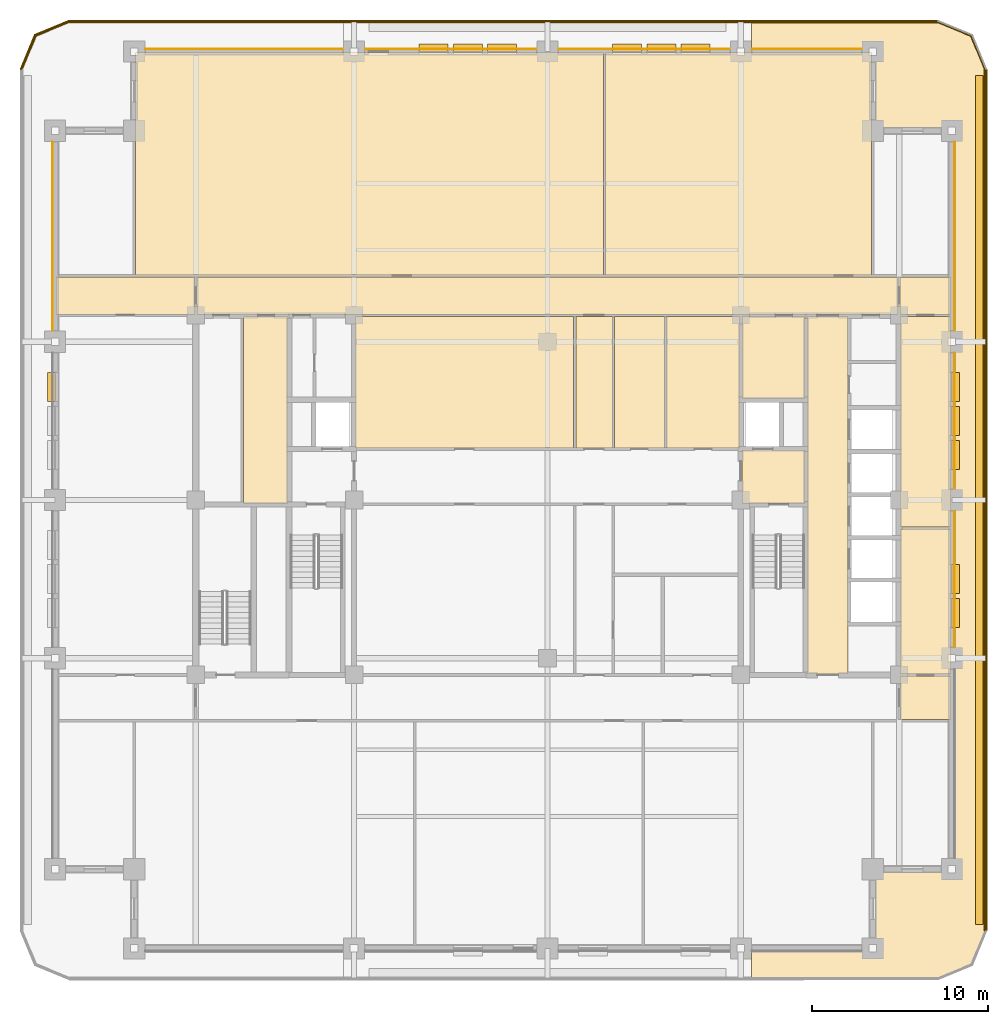
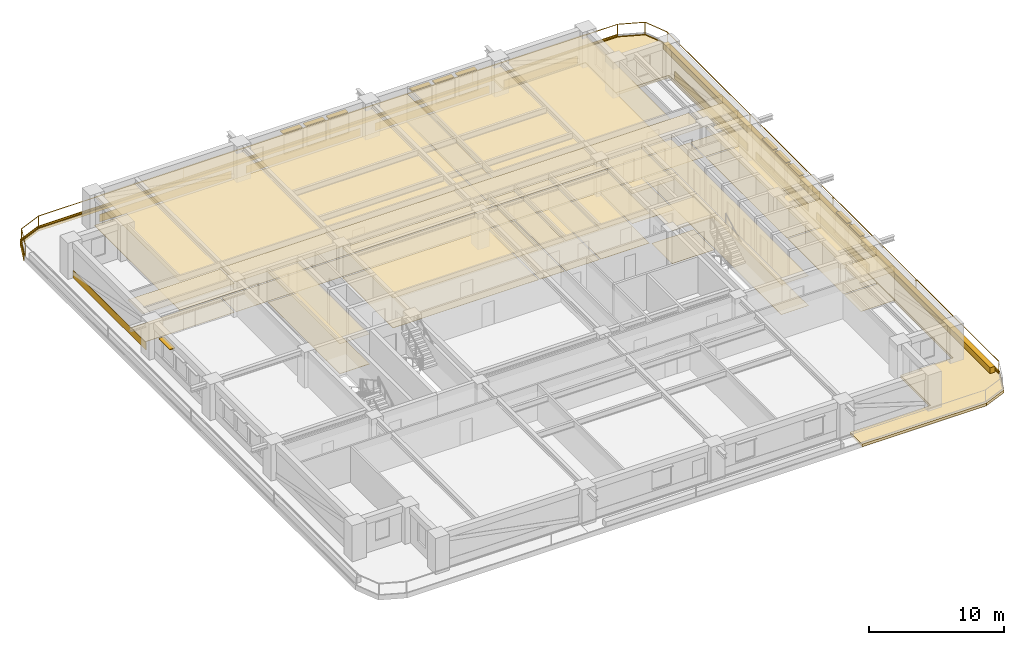
# One storey, part 14 of 15: 46 coverings, 12 shading devices, 2 railings.
"""IFC4 building model written with IfcOpenShell, lengths in metres."""

from ifc_helpers import new_model, si_unit, direction, frame, frame_2d, origin, origin_2d, place, context, subcontext, project, spatial, polyline, rectangle, outline, extrude, material, layer, layer_set, type_object, element, save


model = new_model("IFC4")

# Units and contexts
model_context = context("Model", 3, precision=1e-05, world=origin(), true_north=direction((0.0, 1.0)))
body_context = subcontext(model_context, "Body", "Model", "MODEL_VIEW")
ifc_project = project(units=[si_unit("LENGTHUNIT", "METRE"), si_unit("AREAUNIT", "SQUARE_METRE"), si_unit("VOLUMEUNIT", "CUBIC_METRE"), si_unit("PLANEANGLEUNIT", "RADIAN"), si_unit("MASSUNIT", "GRAM", prefix="KILO")], contexts=[model_context])

# Site, building, storey
site_placement = place(None, origin())
site = spatial("IfcSite", under=ifc_project, at=site_placement, CompositionType="ELEMENT")
building_placement = place(site_placement, origin())
building = spatial("IfcBuilding", under=site, at=building_placement, Name="Zulmaris Gate Convention Tower", CompositionType="ELEMENT")
storey_placement = place(building_placement, frame((0.0, 0.0, 139.199951171875)))
storey = spatial("IfcBuildingStorey", under=building, at=storey_placement, Name="L35", CompositionType="ELEMENT", Elevation=139.199951171875)

# Coverings
ifc_material_1 = material(Name="Precast concrete C40/50", Category="concrete")
ifc_layer_1 = layer(ifc_material_1, 0.0400390625, Name="Precast concrete C40/50")
ifc_layer_set_1 = layer_set([ifc_layer_1], Name="Precast concrete C40/50")
covering_type_1 = type_object("IfcCoveringType", Name="CLAD-SPANDREL-PRECAST", PredefinedType="CLADDING", material=ifc_layer_set_1)
covering_1_placement = place(storey_placement, frame((-11.6298828125, 25.64990234375, 0.0), z_axis=(0.0, 0.0, 1.0), x_axis=(-1.0, 0.0, 0.0)))
element("IfcCovering", 1, at=covering_1_placement, inside=storey, type_object=covering_type_1, Name="CLD-L35-N-0_0", PredefinedType="CLADDING", context=body_context, shape_type="SweptSolid", body=[
    extrude(rectangle(XDim=11.240234375, YDim=0.0400390625, at=frame_2d((5.6201171875, 0.0))), origin(), (0.0, 0.0, 1.0), 0.679931640625),
])
for number, where, z_axis, x_axis, name in (
    (2, (-0.6298828125, 25.64990234375, 0.0), (0.0, 0.0, 1.0), (-1.0, 0.0, 0.0), "CLD-L35-N-1_0"),
    (3, (10.3701171875, 25.64990234375, 0.0), (0.0, 0.0, 1.0), (-1.0, 0.0, 0.0), "CLD-L35-N-2_0"),
):
    element("IfcCovering", number, at=place(storey_placement, frame(where, z_axis=z_axis, x_axis=x_axis)), inside=storey, type_object=covering_type_1, Name=name, PredefinedType="CLADDING", context=body_context, shape_type="SweptSolid", body=[
        extrude(rectangle(XDim=9.740234375, YDim=0.0400390625, at=frame_2d((4.8701171875, 0.0))), origin(), (0.0, 0.0, 1.0), 0.679931640625),
    ])
covering_2_placement = place(storey_placement, frame((17.8701171875, 25.64990234375, 0.0), z_axis=(0.0, 0.0, 1.0), x_axis=(-1.0, 0.0, 0.0)))
element("IfcCovering", 4, at=covering_2_placement, inside=storey, type_object=covering_type_1, Name="CLD-L35-N-3_0", PredefinedType="CLADDING", context=body_context, shape_type="SweptSolid", body=[
    extrude(rectangle(XDim=6.240234375, YDim=0.0400390625, at=frame_2d((3.1201171875, 0.0))), origin(), (0.0, 0.0, 1.0), 0.679931640625),
])
for number, where, z_axis, x_axis, name in (
    (5, (23.14990234375, -8.3701171875, 0.0), (0.0, 0.0, 1.0), (0.0, 1.0, 0.0), "CLD-L35-E-1_0"),
    (6, (23.14990234375, 0.6298828125, 0.0), (0.0, 0.0, 1.0), (0.0, 1.0, 0.0), "CLD-L35-E-2_0"),
):
    element("IfcCovering", number, at=place(storey_placement, frame(where, z_axis=z_axis, x_axis=x_axis)), inside=storey, type_object=covering_type_1, Name=name, PredefinedType="CLADDING", context=body_context, shape_type="SweptSolid", body=[
        extrude(rectangle(XDim=7.740234375, YDim=0.0400390625, at=frame_2d((3.8701171875, 0.0))), origin(), (0.0, 0.0, 1.0), 0.679931640625),
    ])
for number, where, z_axis, x_axis, name in (
    (7, (23.14990234375, 9.6298828125, 0.0), (0.0, 0.0, 1.0), (0.0, 1.0, 0.0), "CLD-L35-E-3_0"),
    (8, (-28.14990234375, 20.3701171875, 0.0), (0.0, 0.0, 1.0), (0.0, -1.0, 0.0), "CLD-L35-W-3_0"),
):
    element("IfcCovering", number, at=place(storey_placement, frame(where, z_axis=z_axis, x_axis=x_axis)), inside=storey, type_object=covering_type_1, Name=name, PredefinedType="CLADDING", context=body_context, shape_type="SweptSolid", body=[
        extrude(rectangle(XDim=10.740234375, YDim=0.0400390625, at=frame_2d((5.3701171875, 0.0))), origin(), (0.0, 0.0, 1.0), 0.679931640625),
    ])
ifc_material_2 = material(Name="White Glazed Architectural Precast Concrete C40/50", Category="concrete")
ifc_layer_2 = layer(ifc_material_2, 0.239990234375, Name="White Glazed Architectural Precast Concrete C40/50")
ifc_layer_set_2 = layer_set([ifc_layer_2], Name="White Glazed Architectural Precast Concrete C40/50")
covering_type_2 = type_object("IfcCoveringType", Name="CLAD-TRAY-DECK", PredefinedType="CLADDING", material=ifc_layer_set_2)
covering_3_placement = place(storey_placement, frame((0.0, 0.0, -0.25)))
element("IfcCovering", 9, at=covering_3_placement, inside=storey, type_object=covering_type_2, Name="L35 East Rounded-Fascia Planter Tray Deck", PredefinedType="CLADDING", context=body_context, shape_type="SweptSolid", body=[
    extrude(outline(polyline([(22.199951171875, 27.300048828125), (24.179931640625, 26.47998046875), (25.0, 24.5), (25.0, -24.5), (24.179931640625, -26.47998046875), (22.199951171875, -27.300048828125), (11.60205078125, -27.300048828125), (11.60205078125, -25.5), (18.5, -25.5), (18.5, -21.0), (23.0, -21.0), (23.0, 21.0), (18.5, 21.0), (18.5, 25.5), (11.60205078125, 25.5), (11.60205078125, 27.300048828125), (22.199951171875, 27.300048828125)])), origin(), (0.0, 0.0, 1.0), 0.239990234375),
])
ifc_layer_3 = layer(ifc_material_2, 0.080078125, Name="White Glazed Architectural Precast Concrete C40/50")
ifc_layer_set_3 = layer_set([ifc_layer_3], Name="White Glazed Architectural Precast Concrete C40/50")
covering_type_3 = type_object("IfcCoveringType", Name="CLAD-TRAY-FASCIA", PredefinedType="CLADDING", material=ifc_layer_set_3)
covering_4_placement = place(storey_placement, frame((24.9599609375, -24.5, -0.2900390625), z_axis=(0.0, 0.0, 1.0), x_axis=(0.0, 1.0, 0.0)))
element("IfcCovering", 10, at=covering_4_placement, inside=storey, type_object=covering_type_3, Name="FSC-L35-TR-05", PredefinedType="CLADDING", context=body_context, shape_type="SweptSolid", body=[
    extrude(rectangle(XDim=49.0, YDim=0.080078125, at=frame_2d((24.5, 0.0))), origin(), (0.0, 0.0, 1.0), 0.440185546875),
])
covering_5_placement = place(storey_placement, frame((22.199951171875, 27.260009765625, -0.2900390625), z_axis=(0.0, 0.0, 1.0), x_axis=(-1.0, 0.0, 0.0)))
element("IfcCovering", 11, at=covering_5_placement, inside=storey, type_object=covering_type_3, Name="FSC-L35-TR-08", PredefinedType="CLADDING", context=body_context, shape_type="SweptSolid", body=[
    extrude(rectangle(XDim=49.39990234375, YDim=0.080078125, at=frame_2d((24.699951171875, 0.0))), origin(), (0.0, 0.0, 1.0), 0.440185546875),
])
covering_6_placement = place(storey_placement, frame((-27.184814453125, 27.262939453125, -0.2900390625), z_axis=(0.0, 0.0, 1.0), x_axis=(-0.923873803533, -0.382697263049, 0.0)))
element("IfcCovering", 12, at=covering_6_placement, inside=storey, type_object=covering_type_3, Name="FSC-L35-TR-09", PredefinedType="CLADDING", context=body_context, shape_type="SweptSolid", body=[
    extrude(rectangle(XDim=2.142822265625, YDim=0.080078125, at=frame_2d((1.0712890625, 0.0))), origin(), (0.0, 0.0, 1.0), 0.440185546875),
])
covering_7_placement = place(storey_placement, frame((-29.142822265625, 26.464599609375, -0.2900390625), z_axis=(0.0, 0.0, 1.0), x_axis=(-0.382656984709, -0.923890487046, 0.0)))
element("IfcCovering", 13, at=covering_7_placement, inside=storey, type_object=covering_type_3, Name="FSC-L35-TR-10", PredefinedType="CLADDING", context=body_context, shape_type="SweptSolid", body=[
    extrude(rectangle(XDim=2.14306640625, YDim=0.080078125, at=frame_2d((1.071533203125, 0.0))), origin(), (0.0, 0.0, 1.0), 0.440185546875),
])
ifc_material_3 = material(Name="Mineral Fibre Acoustic Ceiling Tile")
ifc_layer_4 = layer(ifc_material_3, 0.02001953125, Name="Mineral Fibre Acoustic Ceiling Tile")
ifc_layer_set_4 = layer_set([ifc_layer_4], Name="Mineral Fibre Acoustic Ceiling Tile")
covering_type_4 = type_object("IfcCoveringType", Name="CLG-ACOUSTIC-600", PredefinedType="CEILING", material=ifc_layer_set_4)
covering_8_placement = place(storey_placement, frame((0.0, 0.0, 2.96484375)))
element("IfcCovering", 14, at=covering_8_placement, inside=storey, type_object=covering_type_4, Name="CLG-L35-R08", PredefinedType="CEILING", context=body_context, shape_type="SweptSolid", body=[
    extrude(outline(polyline([(11.06005859375, -0.18994140625), (14.639892578125, -0.18994140625), (14.639892578125, 2.840087890625), (11.06005859375, 2.840087890625), (11.06005859375, -0.18994140625)])), origin(), (0.0, 0.0, 1.0), 0.02001953125),
])
covering_9_placement = place(storey_placement, frame((0.0, 0.0, 2.702880859375)))
element("IfcCovering", 15, at=covering_9_placement, inside=storey, type_object=covering_type_4, Name="CLG-L35-R13", PredefinedType="CEILING", context=body_context, shape_type="SweptSolid", body=[
    extrude(outline(polyline([(11.06005859375, 5.760009765625), (14.639892578125, 5.760009765625), (14.639892578125, 10.43994140625), (11.06005859375, 10.43994140625), (11.06005859375, 5.760009765625)])), origin(), (0.0, 0.0, 1.0), 0.02001953125),
])
covering_10_placement = place(storey_placement, frame((0.0, 0.0, 2.702880859375)))
element("IfcCovering", 16, at=covering_10_placement, inside=storey, type_object=covering_type_4, Name="CLG-L35-R17", PredefinedType="CEILING", context=body_context, shape_type="SweptSolid", body=[
    extrude(outline(polyline([(-17.2900390625, -0.18994140625), (-14.760009765625, -0.18994140625), (-14.760009765625, 10.43994140625), (-17.2900390625, 10.43994140625), (-17.2900390625, -0.18994140625)])), origin(), (0.0, 0.0, 1.0), 0.02001953125),
])
covering_11_placement = place(storey_placement, frame((0.0, 0.0, 2.702880859375)))
element("IfcCovering", 17, at=covering_11_placement, inside=storey, type_object=covering_type_4, Name="CLG-L35-R23", PredefinedType="CEILING", context=body_context, shape_type="SweptSolid", body=[
    extrude(outline(polyline([(14.760009765625, -9.889892578125), (17.090087890625, -9.889892578125), (17.090087890625, 10.43994140625), (14.760009765625, 10.43994140625), (14.760009765625, -9.889892578125)])), origin(), (0.0, 0.0, 1.0), 0.02001953125),
])
covering_12_placement = place(storey_placement, frame((0.0, 0.0, 2.702880859375)))
element("IfcCovering", 18, at=covering_12_placement, inside=storey, type_object=covering_type_4, Name="CLG-L35-R28", PredefinedType="CEILING", context=body_context, shape_type="SweptSolid", body=[
    extrude(outline(polyline([(-19.93994140625, 10.56005859375), (19.93994140625, 10.56005859375), (19.93994140625, 12.68994140625), (-19.93994140625, 12.68994140625), (-19.93994140625, 10.56005859375)])), origin(), (0.0, 0.0, 1.0), 0.02001953125),
])
covering_13_placement = place(storey_placement, frame((0.0, 0.0, 2.702880859375)))
element("IfcCovering", 19, at=covering_13_placement, inside=storey, type_object=covering_type_4, Name="CLG-L35-R31", PredefinedType="CEILING", context=body_context, shape_type="SweptSolid", body=[
    extrude(outline(polyline([(1.610107421875, 2.9599609375), (3.68994140625, 2.9599609375), (3.68994140625, 10.43994140625), (1.610107421875, 10.43994140625), (1.610107421875, 2.9599609375)])), origin(), (0.0, 0.0, 1.0), 0.02001953125),
])
covering_14_placement = place(storey_placement, frame((0.0, 0.0, 2.604736328125)))
element("IfcCovering", 20, at=covering_14_placement, inside=storey, type_object=covering_type_4, Name="CLG-L35-R33", PredefinedType="CEILING", context=body_context, shape_type="SweptSolid", body=[
    extrude(outline(polyline([(-23.43994140625, 12.81005859375), (3.18994140625, 12.81005859375), (3.18994140625, 25.43994140625), (-23.43994140625, 25.43994140625), (-23.43994140625, 12.81005859375)])), origin(), (0.0, 0.0, 1.0), 0.02001953125),
])
covering_15_placement = place(storey_placement, frame((0.0, 0.0, 2.604736328125)))
element("IfcCovering", 21, at=covering_15_placement, inside=storey, type_object=covering_type_4, Name="CLG-L35-R34", PredefinedType="CEILING", context=body_context, shape_type="SweptSolid", body=[
    extrude(outline(polyline([(3.31005859375, 12.81005859375), (18.43994140625, 12.81005859375), (18.43994140625, 25.43994140625), (3.31005859375, 25.43994140625), (3.31005859375, 12.81005859375)])), origin(), (0.0, 0.0, 1.0), 0.02001953125),
])
covering_16_placement = place(storey_placement, frame((0.0, 0.0, 2.702880859375)))
element("IfcCovering", 22, at=covering_16_placement, inside=storey, type_object=covering_type_4, Name="CLG-L35-R38", PredefinedType="CEILING", context=body_context, shape_type="SweptSolid", body=[
    extrude(outline(polyline([(-10.93994140625, 2.9599609375), (1.489990234375, 2.9599609375), (1.489990234375, 10.43994140625), (-10.93994140625, 10.43994140625), (-10.93994140625, 2.9599609375)])), origin(), (0.0, 0.0, 1.0), 0.02001953125),
])
covering_17_placement = place(storey_placement, frame((0.0, 0.0, 2.702880859375)))
element("IfcCovering", 23, at=covering_17_placement, inside=storey, type_object=covering_type_4, Name="CLG-L35-R39", PredefinedType="CEILING", context=body_context, shape_type="SweptSolid", body=[
    extrude(outline(polyline([(3.81005859375, 2.9599609375), (6.659912109375, 2.9599609375), (6.659912109375, 10.43994140625), (3.81005859375, 10.43994140625), (3.81005859375, 2.9599609375)])), origin(), (0.0, 0.0, 1.0), 0.02001953125),
])
covering_18_placement = place(storey_placement, frame((0.0, 0.0, 2.702880859375)))
element("IfcCovering", 24, at=covering_18_placement, inside=storey, type_object=covering_type_4, Name="CLG-L35-R40", PredefinedType="CEILING", context=body_context, shape_type="SweptSolid", body=[
    extrude(outline(polyline([(6.780029296875, 2.9599609375), (10.93994140625, 2.9599609375), (10.93994140625, 10.43994140625), (6.780029296875, 10.43994140625), (6.780029296875, 2.9599609375)])), origin(), (0.0, 0.0, 1.0), 0.02001953125),
])
covering_19_placement = place(storey_placement, frame((0.0, 0.0, 2.604736328125)))
element("IfcCovering", 25, at=covering_19_placement, inside=storey, type_object=covering_type_4, Name="CLG-L35-R45", PredefinedType="CEILING", context=body_context, shape_type="SweptSolid", body=[
    extrude(outline(polyline([(-27.93994140625, 10.56005859375), (-20.06005859375, 10.56005859375), (-20.06005859375, 12.68994140625), (-27.93994140625, 12.68994140625), (-27.93994140625, 10.56005859375)])), origin(), (0.0, 0.0, 1.0), 0.02001953125),
])
covering_20_placement = place(storey_placement, frame((0.0, 0.0, 2.604736328125)))
element("IfcCovering", 26, at=covering_20_placement, inside=storey, type_object=covering_type_4, Name="CLG-L35-R48", PredefinedType="CEILING", context=body_context, shape_type="SweptSolid", body=[
    extrude(outline(polyline([(20.06005859375, 10.56005859375), (22.93994140625, 10.56005859375), (22.93994140625, 12.68994140625), (20.06005859375, 12.68994140625), (20.06005859375, 10.56005859375)])), origin(), (0.0, 0.0, 1.0), 0.02001953125),
])
covering_21_placement = place(storey_placement, frame((0.0, 0.0, 2.604736328125)))
element("IfcCovering", 27, at=covering_21_placement, inside=storey, type_object=covering_type_4, Name="CLG-L35-R49", PredefinedType="CEILING", context=body_context, shape_type="SweptSolid", body=[
    extrude(outline(polyline([(20.06005859375, -12.489990234375), (22.93994140625, -12.489990234375), (22.93994140625, -10.010009765625), (20.06005859375, -10.010009765625), (20.06005859375, -12.489990234375)])), origin(), (0.0, 0.0, 1.0), 0.02001953125),
])
covering_22_placement = place(storey_placement, frame((0.0, 0.0, 2.604736328125)))
element("IfcCovering", 28, at=covering_22_placement, inside=storey, type_object=covering_type_4, Name="CLG-L35-R50", PredefinedType="CEILING", context=body_context, shape_type="SweptSolid", body=[
    extrude(outline(polyline([(20.06005859375, -1.5400390625), (22.93994140625, -1.5400390625), (22.93994140625, 10.43994140625), (20.06005859375, 10.43994140625), (20.06005859375, -1.5400390625)])), origin(), (0.0, 0.0, 1.0), 0.02001953125),
])
covering_23_placement = place(storey_placement, frame((0.0, 0.0, 2.604736328125)))
element("IfcCovering", 29, at=covering_23_placement, inside=storey, type_object=covering_type_4, Name="CLG-L35-R51", PredefinedType="CEILING", context=body_context, shape_type="SweptSolid", body=[
    extrude(outline(polyline([(20.06005859375, -9.889892578125), (22.93994140625, -9.889892578125), (22.93994140625, -1.659912109375), (20.06005859375, -1.659912109375), (20.06005859375, -9.889892578125)])), origin(), (0.0, 0.0, 1.0), 0.02001953125),
])
ifc_material_4 = material(Name="Woven Acoustic Wool Carpet Tile")
ifc_layer_5 = layer(ifc_material_4, 0.02001953125, Name="Woven Acoustic Wool Carpet Tile")
ifc_layer_set_5 = layer_set([ifc_layer_5], Name="Woven Acoustic Wool Carpet Tile")
covering_type_5 = type_object("IfcCoveringType", Name="FLR-CARPET-12", PredefinedType="FLOORING", material=ifc_layer_set_5)
covering_24_placement = place(storey_placement, origin())
element("IfcCovering", 30, at=covering_24_placement, inside=storey, type_object=covering_type_5, Name="FLR-L35-R08", PredefinedType="FLOORING", context=body_context, shape_type="SweptSolid", body=[
    extrude(outline(polyline([(11.06005859375, -0.18994140625), (14.639892578125, -0.18994140625), (14.639892578125, 2.840087890625), (11.06005859375, 2.840087890625), (11.06005859375, -0.18994140625)])), origin(), (0.0, 0.0, 1.0), 0.02001953125),
])
covering_25_placement = place(storey_placement, origin())
element("IfcCovering", 31, at=covering_25_placement, inside=storey, type_object=covering_type_5, Name="FLR-L35-R13", PredefinedType="FLOORING", context=body_context, shape_type="SweptSolid", body=[
    extrude(outline(polyline([(11.06005859375, 5.760009765625), (14.639892578125, 5.760009765625), (14.639892578125, 10.43994140625), (11.06005859375, 10.43994140625), (11.06005859375, 5.760009765625)])), origin(), (0.0, 0.0, 1.0), 0.02001953125),
])
covering_26_placement = place(storey_placement, origin())
element("IfcCovering", 32, at=covering_26_placement, inside=storey, type_object=covering_type_5, Name="FLR-L35-R17", PredefinedType="FLOORING", context=body_context, shape_type="SweptSolid", body=[
    extrude(outline(polyline([(-17.2900390625, -0.18994140625), (-14.760009765625, -0.18994140625), (-14.760009765625, 10.43994140625), (-17.2900390625, 10.43994140625), (-17.2900390625, -0.18994140625)])), origin(), (0.0, 0.0, 1.0), 0.02001953125),
])
covering_27_placement = place(storey_placement, origin())
element("IfcCovering", 33, at=covering_27_placement, inside=storey, type_object=covering_type_5, Name="FLR-L35-R23", PredefinedType="FLOORING", context=body_context, shape_type="SweptSolid", body=[
    extrude(outline(polyline([(14.760009765625, -9.889892578125), (17.090087890625, -9.889892578125), (17.090087890625, 10.43994140625), (14.760009765625, 10.43994140625), (14.760009765625, -9.889892578125)])), origin(), (0.0, 0.0, 1.0), 0.02001953125),
])
covering_28_placement = place(storey_placement, origin())
element("IfcCovering", 34, at=covering_28_placement, inside=storey, type_object=covering_type_5, Name="FLR-L35-R28", PredefinedType="FLOORING", context=body_context, shape_type="SweptSolid", body=[
    extrude(outline(polyline([(-19.93994140625, 10.56005859375), (19.93994140625, 10.56005859375), (19.93994140625, 12.68994140625), (-19.93994140625, 12.68994140625), (-19.93994140625, 10.56005859375)])), origin(), (0.0, 0.0, 1.0), 0.02001953125),
])
covering_29_placement = place(storey_placement, origin())
element("IfcCovering", 35, at=covering_29_placement, inside=storey, type_object=covering_type_5, Name="FLR-L35-R31", PredefinedType="FLOORING", context=body_context, shape_type="SweptSolid", body=[
    extrude(outline(polyline([(1.610107421875, 2.9599609375), (3.68994140625, 2.9599609375), (3.68994140625, 10.43994140625), (1.610107421875, 10.43994140625), (1.610107421875, 2.9599609375)])), origin(), (0.0, 0.0, 1.0), 0.02001953125),
])
covering_30_placement = place(storey_placement, origin())
element("IfcCovering", 36, at=covering_30_placement, inside=storey, type_object=covering_type_5, Name="FLR-L35-R34", PredefinedType="FLOORING", context=body_context, shape_type="SweptSolid", body=[
    extrude(outline(polyline([(3.31005859375, 12.81005859375), (18.43994140625, 12.81005859375), (18.43994140625, 25.43994140625), (3.31005859375, 25.43994140625), (3.31005859375, 12.81005859375)])), origin(), (0.0, 0.0, 1.0), 0.02001953125),
])
covering_31_placement = place(storey_placement, origin())
element("IfcCovering", 37, at=covering_31_placement, inside=storey, type_object=covering_type_5, Name="FLR-L35-R40", PredefinedType="FLOORING", context=body_context, shape_type="SweptSolid", body=[
    extrude(outline(polyline([(6.780029296875, 2.9599609375), (10.93994140625, 2.9599609375), (10.93994140625, 10.43994140625), (6.780029296875, 10.43994140625), (6.780029296875, 2.9599609375)])), origin(), (0.0, 0.0, 1.0), 0.02001953125),
])
covering_32_placement = place(storey_placement, origin())
element("IfcCovering", 38, at=covering_32_placement, inside=storey, type_object=covering_type_5, Name="FLR-L35-R45", PredefinedType="FLOORING", context=body_context, shape_type="SweptSolid", body=[
    extrude(outline(polyline([(-27.93994140625, 10.56005859375), (-20.06005859375, 10.56005859375), (-20.06005859375, 12.68994140625), (-27.93994140625, 12.68994140625), (-27.93994140625, 10.56005859375)])), origin(), (0.0, 0.0, 1.0), 0.02001953125),
])
covering_33_placement = place(storey_placement, origin())
element("IfcCovering", 39, at=covering_33_placement, inside=storey, type_object=covering_type_5, Name="FLR-L35-R48", PredefinedType="FLOORING", context=body_context, shape_type="SweptSolid", body=[
    extrude(outline(polyline([(20.06005859375, 10.56005859375), (22.93994140625, 10.56005859375), (22.93994140625, 12.68994140625), (20.06005859375, 12.68994140625), (20.06005859375, 10.56005859375)])), origin(), (0.0, 0.0, 1.0), 0.02001953125),
])
covering_34_placement = place(storey_placement, origin())
element("IfcCovering", 40, at=covering_34_placement, inside=storey, type_object=covering_type_5, Name="FLR-L35-R49", PredefinedType="FLOORING", context=body_context, shape_type="SweptSolid", body=[
    extrude(outline(polyline([(20.06005859375, -12.489990234375), (22.93994140625, -12.489990234375), (22.93994140625, -10.010009765625), (20.06005859375, -10.010009765625), (20.06005859375, -12.489990234375)])), origin(), (0.0, 0.0, 1.0), 0.02001953125),
])
covering_35_placement = place(storey_placement, origin())
element("IfcCovering", 41, at=covering_35_placement, inside=storey, type_object=covering_type_5, Name="FLR-L35-R50", PredefinedType="FLOORING", context=body_context, shape_type="SweptSolid", body=[
    extrude(outline(polyline([(20.06005859375, -1.5400390625), (22.93994140625, -1.5400390625), (22.93994140625, 10.43994140625), (20.06005859375, 10.43994140625), (20.06005859375, -1.5400390625)])), origin(), (0.0, 0.0, 1.0), 0.02001953125),
])
covering_36_placement = place(storey_placement, origin())
element("IfcCovering", 42, at=covering_36_placement, inside=storey, type_object=covering_type_5, Name="FLR-L35-R51", PredefinedType="FLOORING", context=body_context, shape_type="SweptSolid", body=[
    extrude(outline(polyline([(20.06005859375, -9.889892578125), (22.93994140625, -9.889892578125), (22.93994140625, -1.659912109375), (20.06005859375, -1.659912109375), (20.06005859375, -9.889892578125)])), origin(), (0.0, 0.0, 1.0), 0.02001953125),
])
ifc_material_5 = material(Name="Polished Granite Terrazzo Tile", Category="masonry")
ifc_layer_6 = layer(ifc_material_5, 0.02001953125, Name="Polished Granite Terrazzo Tile")
ifc_layer_set_6 = layer_set([ifc_layer_6], Name="Polished Granite Terrazzo Tile")
covering_type_6 = type_object("IfcCoveringType", Name="FLR-TERRAZZO-30", PredefinedType="FLOORING", material=ifc_layer_set_6)
covering_37_placement = place(storey_placement, origin())
element("IfcCovering", 43, at=covering_37_placement, inside=storey, type_object=covering_type_6, Name="FLR-L35-R38", PredefinedType="FLOORING", context=body_context, shape_type="SweptSolid", body=[
    extrude(outline(polyline([(-10.93994140625, 2.9599609375), (1.489990234375, 2.9599609375), (1.489990234375, 10.43994140625), (-10.93994140625, 10.43994140625), (-10.93994140625, 2.9599609375)])), origin(), (0.0, 0.0, 1.0), 0.02001953125),
])
ifc_material_6 = material(Name="Engineered Teak Parquet Flooring")
ifc_layer_7 = layer(ifc_material_6, 0.02001953125, Name="Engineered Teak Parquet Flooring")
ifc_layer_set_7 = layer_set([ifc_layer_7], Name="Engineered Teak Parquet Flooring")
covering_type_7 = type_object("IfcCoveringType", Name="FLR-TIMBER-18", PredefinedType="FLOORING", material=ifc_layer_set_7)
covering_38_placement = place(storey_placement, origin())
element("IfcCovering", 44, at=covering_38_placement, inside=storey, type_object=covering_type_7, Name="FLR-L35-R33", PredefinedType="FLOORING", context=body_context, shape_type="SweptSolid", body=[
    extrude(outline(polyline([(-23.43994140625, 12.81005859375), (3.18994140625, 12.81005859375), (3.18994140625, 25.43994140625), (-23.43994140625, 25.43994140625), (-23.43994140625, 12.81005859375)])), origin(), (0.0, 0.0, 1.0), 0.02001953125),
])
covering_39_placement = place(storey_placement, origin())
element("IfcCovering", 45, at=covering_39_placement, inside=storey, type_object=covering_type_7, Name="FLR-L35-R39", PredefinedType="FLOORING", context=body_context, shape_type="SweptSolid", body=[
    extrude(outline(polyline([(3.81005859375, 2.9599609375), (6.659912109375, 2.9599609375), (6.659912109375, 10.43994140625), (3.81005859375, 10.43994140625), (3.81005859375, 2.9599609375)])), origin(), (0.0, 0.0, 1.0), 0.02001953125),
])
ifc_material_7 = material(Name="Botanical Green Glazed Precast Concrete C40/50", Category="concrete")
ifc_layer_8 = layer(ifc_material_7, 0.419921875, Name="Botanical Green Glazed Precast Concrete C40/50")
ifc_layer_set_8 = layer_set([ifc_layer_8], Name="Botanical Green Glazed Precast Concrete C40/50")
covering_type_8 = type_object("IfcCoveringType", Name="PLANTER-BOX-200", PredefinedType="CLADDING", material=ifc_layer_set_8)
covering_40_placement = place(storey_placement, frame((0.0, 0.0, -0.010009765625)))
element("IfcCovering", 46, at=covering_40_placement, inside=storey, type_object=covering_type_8, Name="L35 E Full-Length Balcony Tree Planter Trough", PredefinedType="CLADDING", context=body_context, shape_type="SweptSolid", body=[
    extrude(outline(polyline([(24.340087890625, -24.14990234375), (24.760009765625, -24.14990234375), (24.760009765625, 24.14990234375), (24.340087890625, 24.14990234375), (24.340087890625, -24.14990234375)])), origin(), (0.0, 0.0, 1.0), 0.52001953125),
])

# Railings
ifc_material_8 = material(Name="Laminated Glass and Stainless Steel", Category="steel")
railing_type = type_object("IfcRailingType", Name="RL-BALC-1150", PredefinedType="BALUSTRADE", material=ifc_material_8)
railing_1_placement = place(storey_placement, frame((24.8798828125, -24.5, -0.010009765625)))
element("IfcRailing", 47, at=railing_1_placement, inside=storey, type_object=railing_type, Name="RL-L35-BALC-E", PredefinedType="BALUSTRADE", context=body_context, shape_type="SweptSolid", body=[
    extrude(rectangle(XDim=0.048095703125, YDim=0.048095703125, at=origin_2d()), frame((0.0, 0.0, 1.1259765625), z_axis=(0.0, 1.0, 0.0), x_axis=(-1.0, 0.0, 0.0)), (0.0, 0.0, 1.0), 49.0),
    extrude(rectangle(XDim=0.048095703125, YDim=0.048095703125, at=origin_2d()), frame((0.0, 0.0, 0.02392578125), z_axis=(0.0, 1.0, 0.0), x_axis=(-1.0, 0.0, 0.0)), (0.0, 0.0, 1.0), 49.0),
    extrude(rectangle(XDim=0.0419921875, YDim=0.0419921875, at=origin_2d()), origin(), (0.0, 0.0, 1.0), 1.101806640625),
    extrude(rectangle(XDim=0.0419921875, YDim=0.0419921875, at=origin_2d()), frame((0.0, 12.25, 0.0)), (0.0, 0.0, 1.0), 1.101806640625),
    extrude(rectangle(XDim=0.0419921875, YDim=0.0419921875, at=origin_2d()), frame((0.0, 24.5, 0.0)), (0.0, 0.0, 1.0), 1.101806640625),
    extrude(rectangle(XDim=0.0419921875, YDim=0.0419921875, at=origin_2d()), frame((0.0, 36.75, 0.0)), (0.0, 0.0, 1.0), 1.101806640625),
    extrude(rectangle(XDim=0.0419921875, YDim=0.0419921875, at=origin_2d()), frame((0.0, 49.0, 0.0)), (0.0, 0.0, 1.0), 1.101806640625),
])
railing_2_placement = place(storey_placement, frame((24.8798828125, 24.5, -0.010009765625)))
element("IfcRailing", 48, at=railing_2_placement, inside=storey, type_object=railing_type, Name="RL-L35-BALC-N", PredefinedType="BALUSTRADE", context=body_context, shape_type="SweptSolid", body=[
    extrude(rectangle(XDim=0.048095703125, YDim=0.048095703125, at=origin_2d()), frame((0.0, 0.0, 1.1259765625), z_axis=(-0.382670664694, 0.92388482095, 0.0), x_axis=(-0.92388482095, -0.382670664694, 0.0)), (0.0, 0.0, 1.0), 2.051025390625),
    extrude(rectangle(XDim=0.048095703125, YDim=0.048095703125, at=origin_2d()), frame((0.0, 0.0, 0.02392578125), z_axis=(-0.382670664694, 0.92388482095, 0.0), x_axis=(-0.92388482095, -0.382670664694, 0.0)), (0.0, 0.0, 1.0), 2.051025390625),
    extrude(rectangle(XDim=0.048095703125, YDim=0.048095703125, at=origin_2d()), frame((-0.784912109375, 1.89501953125, 1.1259765625), z_axis=(-0.92388482095, 0.382670664694, 0.0), x_axis=(-0.382670664694, -0.92388482095, 0.0)), (0.0, 0.0, 1.0), 2.051025390625),
    extrude(rectangle(XDim=0.048095703125, YDim=0.048095703125, at=origin_2d()), frame((-0.784912109375, 1.89501953125, 0.02392578125), z_axis=(-0.92388482095, 0.382670664694, 0.0), x_axis=(-0.382670664694, -0.92388482095, 0.0)), (0.0, 0.0, 1.0), 2.051025390625),
    extrude(rectangle(XDim=0.048095703125, YDim=0.048095703125, at=origin_2d()), frame((-2.679931640625, 2.679931640625, 1.1259765625), z_axis=(-1.0, 0.0, 0.0), x_axis=(0.0, -1.0, 0.0)), (0.0, 0.0, 1.0), 49.39990234375),
    extrude(rectangle(XDim=0.048095703125, YDim=0.048095703125, at=origin_2d()), frame((-2.679931640625, 2.679931640625, 0.02392578125), z_axis=(-1.0, 0.0, 0.0), x_axis=(0.0, -1.0, 0.0)), (0.0, 0.0, 1.0), 49.39990234375),
    extrude(rectangle(XDim=0.048095703125, YDim=0.048095703125, at=origin_2d()), frame((-52.079833984375, 2.679931640625, 1.1259765625), z_axis=(-0.92388482095, -0.382670664694, 0.0), x_axis=(0.382670664694, -0.92388482095, 0.0)), (0.0, 0.0, 1.0), 2.051025390625),
    extrude(rectangle(XDim=0.048095703125, YDim=0.048095703125, at=origin_2d()), frame((-52.079833984375, 2.679931640625, 0.02392578125), z_axis=(-0.92388482095, -0.382670664694, 0.0), x_axis=(0.382670664694, -0.92388482095, 0.0)), (0.0, 0.0, 1.0), 2.051025390625),
    extrude(rectangle(XDim=0.048095703125, YDim=0.048095703125, at=origin_2d()), frame((-53.974853515625, 1.89501953125, 1.1259765625), z_axis=(-0.382670664694, -0.92388482095, 0.0), x_axis=(0.92388482095, -0.382670664694, 0.0)), (0.0, 0.0, 1.0), 2.051025390625),
    extrude(rectangle(XDim=0.048095703125, YDim=0.048095703125, at=origin_2d()), frame((-53.974853515625, 1.89501953125, 0.02392578125), z_axis=(-0.382670664694, -0.92388482095, 0.0), x_axis=(0.92388482095, -0.382670664694, 0.0)), (0.0, 0.0, 1.0), 2.051025390625),
    extrude(rectangle(XDim=0.0419921875, YDim=0.0419921875, at=origin_2d()), origin(), (0.0, 0.0, 1.0), 1.101806640625),
    extrude(rectangle(XDim=0.0419921875, YDim=0.0419921875, at=origin_2d()), frame((-0.784912109375, 1.89501953125, 0.0)), (0.0, 0.0, 1.0), 1.101806640625),
    extrude(rectangle(XDim=0.0419921875, YDim=0.0419921875, at=origin_2d()), frame((-2.679931640625, 2.679931640625, 0.0)), (0.0, 0.0, 1.0), 1.101806640625),
    extrude(rectangle(XDim=0.0419921875, YDim=0.0419921875, at=origin_2d()), frame((-15.02978515625, 2.679931640625, 0.0)), (0.0, 0.0, 1.0), 1.101806640625),
    extrude(rectangle(XDim=0.0419921875, YDim=0.0419921875, at=origin_2d()), frame((-27.3798828125, 2.679931640625, 0.0)), (0.0, 0.0, 1.0), 1.101806640625),
    extrude(rectangle(XDim=0.0419921875, YDim=0.0419921875, at=origin_2d()), frame((-39.72998046875, 2.679931640625, 0.0)), (0.0, 0.0, 1.0), 1.101806640625),
    extrude(rectangle(XDim=0.0419921875, YDim=0.0419921875, at=origin_2d()), frame((-52.079833984375, 2.679931640625, 0.0)), (0.0, 0.0, 1.0), 1.101806640625),
    extrude(rectangle(XDim=0.0419921875, YDim=0.0419921875, at=origin_2d()), frame((-53.974853515625, 1.89501953125, 0.0)), (0.0, 0.0, 1.0), 1.101806640625),
    extrude(rectangle(XDim=0.0419921875, YDim=0.0419921875, at=origin_2d()), frame((-54.759765625, 0.0, 0.0)), (0.0, 0.0, 1.0), 1.101806640625),
])

# Shading devices
ifc_material_9 = material(Name="Glazed Ceramic Terracotta", Category="masonry")
ifc_layer_9 = layer(ifc_material_9, 0.070068359375, Name="Glazed Ceramic Terracotta")
ifc_layer_set_9 = layer_set([ifc_layer_9], Name="Glazed Ceramic Terracotta")
shading_device_type = type_object("IfcShadingDeviceType", Name="SHD-SUNSHADE-TC", PredefinedType="AWNING", material=ifc_layer_set_9)
for number, where, z_axis, x_axis, name in (
    (49, (-1.7529296875, 25.719970703125, 2.530029296875), (0.0, 0.0, 1.0), (-1.0, 0.0, 0.0), "SHD-EW-L35-N-1_0-1"),
    (50, (-3.700927734375, 25.719970703125, 2.530029296875), (0.0, 0.0, 1.0), (-1.0, 0.0, 0.0), "SHD-EW-L35-N-1_0-2"),
    (51, (-5.64892578125, 25.719970703125, 2.530029296875), (0.0, 0.0, 1.0), (-1.0, 0.0, 0.0), "SHD-EW-L35-N-1_0-3"),
    (52, (9.2470703125, 25.719970703125, 2.530029296875), (0.0, 0.0, 1.0), (-1.0, 0.0, 0.0), "SHD-EW-L35-N-2_0-1"),
    (53, (7.299072265625, 25.719970703125, 2.530029296875), (0.0, 0.0, 1.0), (-1.0, 0.0, 0.0), "SHD-EW-L35-N-2_0-2"),
    (54, (5.35107421875, 25.719970703125, 2.530029296875), (0.0, 0.0, 1.0), (-1.0, 0.0, 0.0), "SHD-EW-L35-N-2_0-3"),
):
    element("IfcShadingDevice", number, at=place(storey_placement, frame(where, z_axis=z_axis, x_axis=x_axis)), inside=storey, type_object=shading_device_type, Name=name, PredefinedType="AWNING", context=body_context, shape_type="SweptSolid", body=[
        extrude(rectangle(XDim=1.650146484375, YDim=0.43994140625, at=frame_2d((0.8251953125, 0.0))), origin(), (0.0, 0.0, 1.0), 0.070068359375),
    ])
for number, where, z_axis, x_axis, name in (
    (55, (23.219970703125, -7.260009765625, 2.530029296875), (0.0, 0.0, 1.0), (0.0, 1.0, 0.0), "SHD-EW-L35-E-1_0-1"),
    (56, (23.219970703125, -5.324951171875, 2.530029296875), (0.0, 0.0, 1.0), (0.0, 1.0, 0.0), "SHD-EW-L35-E-1_0-2"),
    (57, (23.219970703125, 1.739990234375, 2.530029296875), (0.0, 0.0, 1.0), (0.0, 1.0, 0.0), "SHD-EW-L35-E-2_0-1"),
    (58, (23.219970703125, 3.675048828125, 2.530029296875), (0.0, 0.0, 1.0), (0.0, 1.0, 0.0), "SHD-EW-L35-E-2_0-2"),
    (59, (23.219970703125, 5.610107421875, 2.530029296875), (0.0, 0.0, 1.0), (0.0, 1.0, 0.0), "SHD-EW-L35-E-2_0-3"),
    (60, (-28.219970703125, 7.260009765625, 2.530029296875), (0.0, 0.0, 1.0), (0.0, -1.0, 0.0), "SHD-EW-L35-W-2_0-1"),
):
    element("IfcShadingDevice", number, at=place(storey_placement, frame(where, z_axis=z_axis, x_axis=x_axis)), inside=storey, type_object=shading_device_type, Name=name, PredefinedType="AWNING", context=body_context, shape_type="SweptSolid", body=[
        extrude(rectangle(XDim=1.64990234375, YDim=0.43994140625, at=frame_2d((0.824951171875, 0.0))), origin(), (0.0, 0.0, 1.0), 0.070068359375),
    ])

save(model, "model.ifc")
